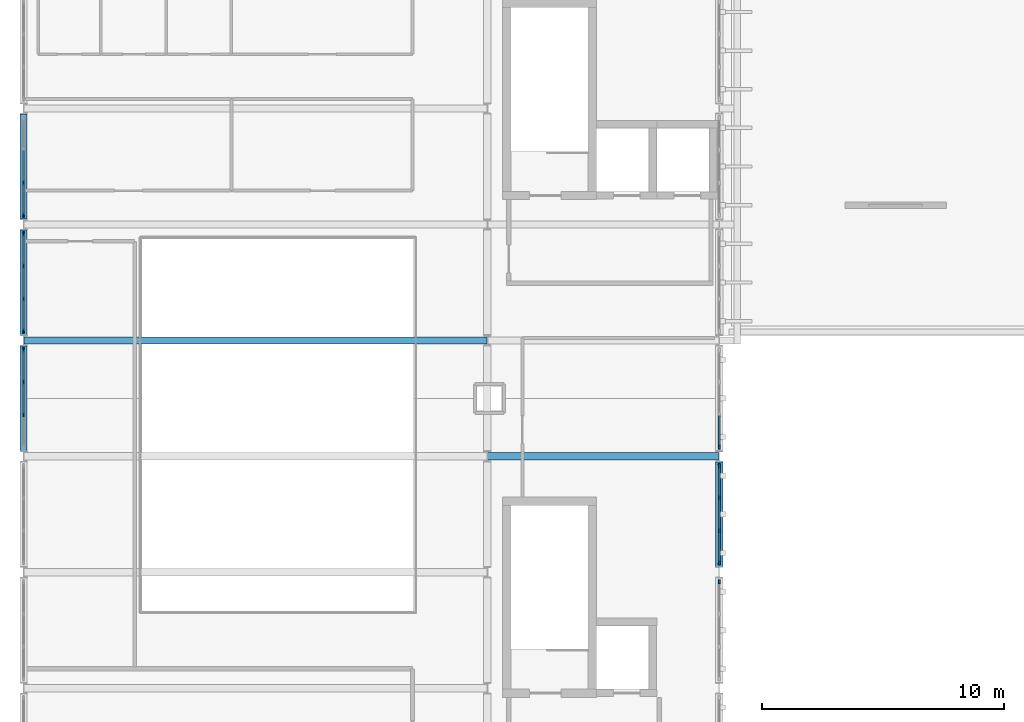
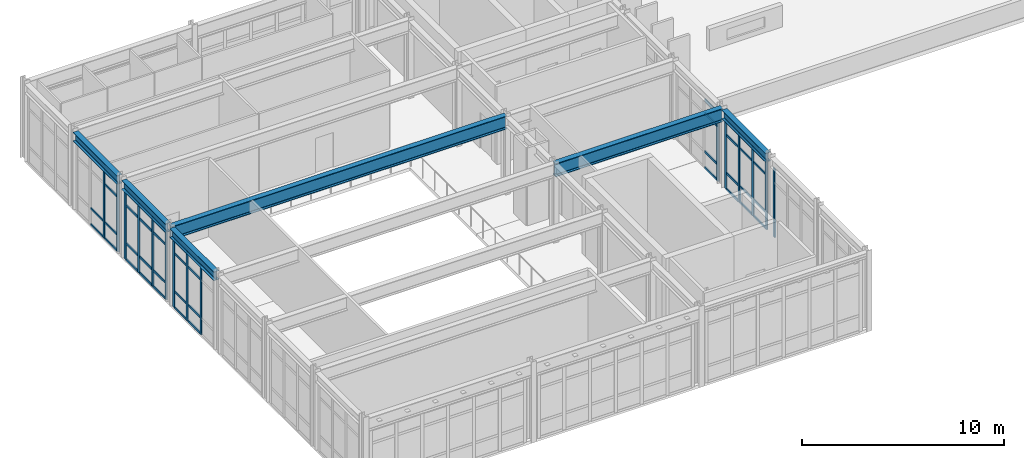
# One storey, part 5 of 16: 57 members, 6 beams, 6 elements without a shape of their own.
"""IFC4 building model written with IfcOpenShell, lengths in metres."""

import ifcopenshell
import ifcopenshell.guid

model = None  # the IFC model being written
_history = None  # IfcOwnerHistory: only IFC2X3 demands one
_inside = {}  # id of a spatial element -> (the spatial element, [elements in it])
_under = {}  # id of a project, library or spatial element -> (it, [spatial elements below it])
_declared = {}  # id of a project -> (the project, [libraries it declares])
_typed = {}  # id of a type object -> (the type object, [elements of that type])
_made_of = {}  # id of a material, layer set ... -> (it, [elements and type objects made of it])


def new_model(schema):
    """Start an empty IFC model of exactly this schema.

    Asked for "IFC4X3", IfcOpenShell would pick the latest addendum, in which some entities
    have other attributes; the version numbers below select the first issue.
    IFC2X3 requires an IfcOwnerHistory on every rooted entity: one is made here for all.
    """
    global model, _history
    if schema == "IFC4X3":
        model = ifcopenshell.file(schema_version=(4, 3, 0, 0))
    else:
        model = ifcopenshell.file(schema=schema)
    _inside.clear()
    _under.clear()
    _declared.clear()
    _typed.clear()
    _made_of.clear()
    _history = None
    if model.schema == "IFC2X3":
        org = make("IfcOrganization", Name="unknown")
        user = make(
            "IfcPersonAndOrganization",
            ThePerson=make("IfcPerson", FamilyName="unknown"),
            TheOrganization=org,
        )
        app = make(
            "IfcApplication",
            ApplicationDeveloper=org,
            Version="unknown",
            ApplicationFullName="unknown",
            ApplicationIdentifier="unknown",
        )
        _history = make(
            "IfcOwnerHistory",
            OwningUser=user,
            OwningApplication=app,
            ChangeAction="ADDED",
            CreationDate=0,
        )
    return model


def make(cls, **values):
    """One entity of the class cls with the attributes given. An attribute that is None is left unset."""
    return model.create_entity(
        cls, **{name: value for name, value in values.items() if value is not None}
    )


def rooted(cls, **values):
    """An entity with a GlobalId (a new one), such as an element, a storey or a relation."""
    return make(cls, GlobalId=ifcopenshell.guid.new(), OwnerHistory=_history, **values)


def si_unit(unit_type, name, prefix=None):
    """IfcSIUnit, for example si_unit("LENGTHUNIT", "METRE", prefix="MILLI")."""
    return make("IfcSIUnit", UnitType=unit_type, Prefix=prefix, Name=name)


def assignment(units):
    """IfcUnitAssignment: the units of a project."""
    return None if units is None else make("IfcUnitAssignment", Units=units)


def point(xyz):
    """IfcCartesianPoint."""
    return None if xyz is None else make("IfcCartesianPoint", Coordinates=xyz)


def direction(xyz):
    """IfcDirection."""
    return None if xyz is None else make("IfcDirection", DirectionRatios=xyz)


def frame(location, z_axis=None, x_axis=None):
    """IfcAxis2Placement3D, a coordinate frame: its origin and axes. An axis left out is left unset."""
    return make(
        "IfcAxis2Placement3D",
        Location=point(location),
        Axis=direction(z_axis),
        RefDirection=direction(x_axis),
    )


def frame_2d(location, x_axis=None):
    """IfcAxis2Placement2D, a coordinate frame in the plane: its origin and x axis."""
    return make(
        "IfcAxis2Placement2D", Location=point(location), RefDirection=direction(x_axis)
    )


def origin():
    """The frame at (0, 0, 0) with its axes left unset."""
    return frame((0.0, 0.0, 0.0))


def origin_2d():
    """The frame at (0, 0) in the plane with its x axis left unset."""
    return frame_2d((0.0, 0.0))


def place(relative_to, where):
    """IfcLocalPlacement: puts the frame where relative to a parent placement (None: the world)."""
    return make(
        "IfcLocalPlacement", PlacementRelTo=relative_to, RelativePlacement=where
    )


def context(
    kind, dimensions, precision=None, world=None, true_north=None, identifier=None
):
    """IfcGeometricRepresentationContext, for example the 3D "Model" context."""
    return make(
        "IfcGeometricRepresentationContext",
        ContextIdentifier=identifier,
        ContextType=kind,
        CoordinateSpaceDimension=dimensions,
        Precision=precision,
        WorldCoordinateSystem=world,
        TrueNorth=true_north,
    )


def subcontext(parent, identifier, kind, view, scale=None):
    """IfcGeometricRepresentationSubContext, for example "Body" below "Model"."""
    return make(
        "IfcGeometricRepresentationSubContext",
        ContextIdentifier=identifier,
        ContextType=kind,
        ParentContext=parent,
        TargetScale=scale,
        TargetView=view,
    )


def project(units=None, contexts=None):
    """IfcProject with its units and contexts."""
    return rooted(
        "IfcProject",
        Name="project",
        RepresentationContexts=contexts,
        UnitsInContext=assignment(units),
    )


def spatial(cls, under=None, at=None, **own):
    """A site, building, storey or space (cls), placed at a placement, below another one or the project."""
    s = rooted(cls, ObjectPlacement=at, **own)
    if under is not None:
        _under.setdefault(under.id(), (under, []))[1].append(s)
    return s


def profile(cls, at=None, kind="AREA", **sizes):
    """A parametric profile (cls). Its sizes go by their IFC names, for example OverallWidth=200.0."""
    return make(cls, ProfileType=kind, Position=at, **sizes)


def rectangle(**sizes):
    """IfcRectangleProfileDef."""
    return profile("IfcRectangleProfileDef", **sizes)


def i_section(**sizes):
    """IfcIShapeProfileDef."""
    return profile("IfcIShapeProfileDef", **sizes)


def extrude(swept, where, along, depth):
    """IfcExtrudedAreaSolid: the profile swept, set in the frame where, extruded along a direction by depth."""
    return make(
        "IfcExtrudedAreaSolid",
        SweptArea=swept,
        Position=where,
        ExtrudedDirection=direction(along),
        Depth=depth,
    )


def shape(context_of_items, identifier, shape_type, items):
    """IfcShapeRepresentation: the items that make up one representation, for example the "Body"."""
    return make(
        "IfcShapeRepresentation",
        ContextOfItems=context_of_items,
        RepresentationIdentifier=identifier,
        RepresentationType=shape_type,
        Items=items,
    )


def material(Name=None, Category=None):
    """IfcMaterial."""
    return make("IfcMaterial", Name=Name, Category=Category)


def layer(
    of_material, thickness, ventilated=None, Name=None, Category=None, Priority=None
):
    """IfcMaterialLayer: one layer of a wall or slab, of a material (None: an air gap)."""
    return make(
        "IfcMaterialLayer",
        Material=of_material,
        LayerThickness=thickness,
        IsVentilated=ventilated,
        Name=Name,
        Category=Category,
        Priority=Priority,
    )


def layer_set(layers, Name=None):
    """IfcMaterialLayerSet."""
    return make("IfcMaterialLayerSet", MaterialLayers=layers, LayerSetName=Name)


def material_profile(
    of_material, cross_section, Name=None, Category=None, Priority=None
):
    """IfcMaterialProfile: a cross section and its material."""
    return make(
        "IfcMaterialProfile",
        Name=Name,
        Material=of_material,
        Profile=cross_section,
        Priority=Priority,
        Category=Category,
    )


def profile_set(profiles, Name=None, composite=None):
    """IfcMaterialProfileSet."""
    return make(
        "IfcMaterialProfileSet",
        Name=Name,
        MaterialProfiles=profiles,
        CompositeProfile=composite,
    )


def made_of(thing, what):
    """Note that an element or type object is made of a material, layer set ...; save() writes the relation."""
    if what is not None:
        _made_of.setdefault(what.id(), (what, []))[1].append(thing)
    return thing


def type_object(cls, material=None, **own):
    """A type object (cls), such as IfcWallType, which elements share."""
    return made_of(rooted(cls, **own), material)


def element(
    cls,
    number,
    at=None,
    inside=None,
    cuts=None,
    type_object=None,
    material=None,
    context=None,
    identifier="Body",
    shape_type=None,
    held_by="IfcProductDefinitionShape",
    body=None,
    shapes=None,
    **own,
):
    """One element of the class cls, such as IfcWall. Its Tag is "e" and its number.

    at: its placement. inside: the storey or other place that contains it. cuts: it is an
    opening in that element (IfcRelVoidsElement). A single representation is given by context,
    identifier, shape_type and body (its items); several are given by shapes. held_by: the class
    of the entity that holds the representations. save() writes the other relations.
    """
    e = rooted(cls, Tag="e%d" % number, ObjectPlacement=at, **own)
    if body is not None:
        shapes = [shape(context, identifier, shape_type, body)]
    if shapes is not None:
        e.Representation = make(held_by, Representations=shapes)
    if inside is not None:
        _inside.setdefault(inside.id(), (inside, []))[1].append(e)
    if cuts is not None:
        rooted(
            "IfcRelVoidsElement", RelatingBuildingElement=cuts, RelatedOpeningElement=e
        )
    if type_object is not None:
        _typed.setdefault(type_object.id(), (type_object, []))[1].append(e)
    return made_of(e, material)


def aggregate(whole, parts):
    """IfcRelAggregates: a whole, such as a stair, and the parts it consists of."""
    return rooted("IfcRelAggregates", RelatingObject=whole, RelatedObjects=parts)


def save(model, path):
    """Write the relations noted so far, then the file.

    IfcRelAggregates (storeys below a building ...), IfcRelContainedInSpatialStructure (elements
    in a storey), IfcRelDefinesByType, IfcRelAssociatesMaterial and IfcRelDeclares: one each for
    every whole, place, type object, material and project.
    """
    for whole, parts in _under.values():
        aggregate(whole, parts)
    for where, things in _inside.values():
        rooted(
            "IfcRelContainedInSpatialStructure",
            RelatedElements=things,
            RelatingStructure=where,
        )
    for kind, things in _typed.values():
        rooted("IfcRelDefinesByType", RelatedObjects=things, RelatingType=kind)
    for what, things in _made_of.values():
        rooted("IfcRelAssociatesMaterial", RelatedObjects=things, RelatingMaterial=what)
    for by, libraries in _declared.values():
        rooted("IfcRelDeclares", RelatingContext=by, RelatedDefinitions=libraries)
    model.write(path)


model = new_model("IFC4")

# Units and contexts
model_context = context("Model", 3, precision=1e-05, world=origin(), true_north=direction((0.0, 1.0)))
body_context = subcontext(model_context, "Body", "Model", "MODEL_VIEW")
ifc_project = project(units=[si_unit("LENGTHUNIT", "METRE"), si_unit("AREAUNIT", "SQUARE_METRE"), si_unit("VOLUMEUNIT", "CUBIC_METRE"), si_unit("PLANEANGLEUNIT", "RADIAN"), si_unit("MASSUNIT", "GRAM", prefix="KILO")], contexts=[model_context])

# Site, building, storey
site_placement = place(None, origin())
site = spatial("IfcSite", under=ifc_project, at=site_placement, CompositionType="ELEMENT")
building_placement = place(site_placement, origin())
building = spatial("IfcBuilding", under=site, at=building_placement, Name="Nordkorset Police Headquarters", CompositionType="ELEMENT")
storey_placement = place(building_placement, frame((0.0, 0.0, 31.14990234375)))
storey = spatial("IfcBuildingStorey", under=building, at=storey_placement, Name="L07", CompositionType="ELEMENT", Elevation=31.14990234375)

# Curtain wall, members
ifc_material_1 = material(Name="Aluminium alloy AW-6060", Category="aluminium")
ifc_layer = layer(ifc_material_1, 0.179931640625, Name="Aluminium alloy AW-6060")
ifc_layer_set = layer_set([ifc_layer], Name="Aluminium alloy AW-6060")
curtain_wall_type = type_object("IfcCurtainWallType", Name="CW_Unit_408x415", PredefinedType="USERDEFINED", material=ifc_layer_set)
curtain_wall_1_placement = place(storey_placement, origin())
curtain_wall_1 = element("IfcCurtainWall", 1, at=curtain_wall_1_placement, inside=storey, type_object=curtain_wall_type, Name="Unitised Curtain Wall L07 V1W-3", ObjectType="UNITISED CURTAIN WALL", PredefinedType="USERDEFINED")
ifc_material_2 = material(Name="Aluminium alloy AW-6060", Category="aluminium")
ifc_material_profile_1 = material_profile(ifc_material_2, rectangle(XDim=0.06494140625, YDim=0.179931640625, at=origin_2d()), Name="ALU MULL 65x180")
ifc_profile_set_1 = profile_set([ifc_material_profile_1], Name="Aluminium alloy AW-6060")
member_type_1 = type_object("IfcMemberType", Name="CW_Mullion_65x180", PredefinedType="MULLION", material=ifc_profile_set_1)
member_1_placement = place(storey_placement, frame((0.0, 99.320068359375, 0.0), z_axis=(0.0, 0.0, 1.0), x_axis=(-1.0, 0.0, 0.0)))
member_1 = element("IfcMember", 2, at=member_1_placement, type_object=member_type_1, Name="CW-101 mullion 2", PredefinedType="MULLION", context=body_context, shape_type="SweptSolid", body=[
    extrude(rectangle(XDim=0.06494140625, YDim=0.179931640625, at=origin_2d()), origin(), (0.0, 0.0, 1.0), 4.150146484375),
])
member_2_placement = place(storey_placement, frame((0.0, 100.679931640625, 0.0), z_axis=(0.0, 0.0, 1.0), x_axis=(-1.0, 0.0, 0.0)))
member_2 = element("IfcMember", 3, at=member_2_placement, type_object=member_type_1, Name="CW-101 mullion 3", PredefinedType="MULLION", context=body_context, shape_type="SweptSolid", body=[
    extrude(rectangle(XDim=0.06494140625, YDim=0.179931640625, at=origin_2d()), origin(), (0.0, 0.0, 1.0), 4.150146484375),
])
member_3_placement = place(storey_placement, frame((0.0, 102.007568359375, 0.0), z_axis=(0.0, 0.0, 1.0), x_axis=(-1.0, 0.0, 0.0)))
member_3 = element("IfcMember", 4, at=member_3_placement, type_object=member_type_1, Name="CW-101 mullion 4", PredefinedType="MULLION", context=body_context, shape_type="SweptSolid", body=[
    extrude(rectangle(XDim=0.06494140625, YDim=0.179931640625, at=origin_2d()), origin(), (0.0, 0.0, 1.0), 4.150146484375),
])

curtain_wall_2_placement = place(storey_placement, origin())
curtain_wall_2 = element("IfcCurtainWall", 5, at=curtain_wall_2_placement, inside=storey, type_object=curtain_wall_type, Name="Unitised Curtain Wall L07 V1W-4", ObjectType="UNITISED CURTAIN WALL", PredefinedType="USERDEFINED")
member_4_placement = place(storey_placement, frame((0.0, 102.79248046875, 0.0), z_axis=(0.0, 0.0, 1.0), x_axis=(-1.0, 0.0, 0.0)))
member_4 = element("IfcMember", 6, at=member_4_placement, type_object=member_type_1, Name="CW-101 mullion 1", PredefinedType="MULLION", context=body_context, shape_type="SweptSolid", body=[
    extrude(rectangle(XDim=0.06494140625, YDim=0.179931640625, at=origin_2d()), origin(), (0.0, 0.0, 1.0), 4.150146484375),
])
member_5_placement = place(storey_placement, frame((0.0, 104.1201171875, 0.0), z_axis=(0.0, 0.0, 1.0), x_axis=(-1.0, 0.0, 0.0)))
member_5 = element("IfcMember", 7, at=member_5_placement, type_object=member_type_1, Name="CW-101 mullion 2", PredefinedType="MULLION", context=body_context, shape_type="SweptSolid", body=[
    extrude(rectangle(XDim=0.06494140625, YDim=0.179931640625, at=origin_2d()), origin(), (0.0, 0.0, 1.0), 4.150146484375),
])
member_6_placement = place(storey_placement, frame((0.0, 105.47998046875, 0.0), z_axis=(0.0, 0.0, 1.0), x_axis=(-1.0, 0.0, 0.0)))
member_6 = element("IfcMember", 8, at=member_6_placement, type_object=member_type_1, Name="CW-101 mullion 3", PredefinedType="MULLION", context=body_context, shape_type="SweptSolid", body=[
    extrude(rectangle(XDim=0.06494140625, YDim=0.179931640625, at=origin_2d()), origin(), (0.0, 0.0, 1.0), 4.150146484375),
])
member_7_placement = place(storey_placement, frame((0.0, 106.8076171875, 0.0), z_axis=(0.0, 0.0, 1.0), x_axis=(-1.0, 0.0, 0.0)))
member_7 = element("IfcMember", 9, at=member_7_placement, type_object=member_type_1, Name="CW-101 mullion 4", PredefinedType="MULLION", context=body_context, shape_type="SweptSolid", body=[
    extrude(rectangle(XDim=0.06494140625, YDim=0.179931640625, at=origin_2d()), origin(), (0.0, 0.0, 1.0), 4.150146484375),
])

curtain_wall_3_placement = place(storey_placement, origin())
curtain_wall_3 = element("IfcCurtainWall", 10, at=curtain_wall_3_placement, inside=storey, type_object=curtain_wall_type, Name="Unitised Curtain Wall L07 V1W-5", ObjectType="UNITISED CURTAIN WALL", PredefinedType="USERDEFINED")
member_8_placement = place(storey_placement, frame((0.0, 107.592529296875, 0.0), z_axis=(0.0, 0.0, 1.0), x_axis=(-1.0, 0.0, 0.0)))
member_8 = element("IfcMember", 11, at=member_8_placement, type_object=member_type_1, Name="CW-101 mullion 1", PredefinedType="MULLION", context=body_context, shape_type="SweptSolid", body=[
    extrude(rectangle(XDim=0.06494140625, YDim=0.179931640625, at=origin_2d()), origin(), (0.0, 0.0, 1.0), 4.150146484375),
])
member_9_placement = place(storey_placement, frame((0.0, 108.919921875, 0.0), z_axis=(0.0, 0.0, 1.0), x_axis=(-1.0, 0.0, 0.0)))
member_9 = element("IfcMember", 12, at=member_9_placement, type_object=member_type_1, Name="CW-101 mullion 2", PredefinedType="MULLION", context=body_context, shape_type="SweptSolid", body=[
    extrude(rectangle(XDim=0.06494140625, YDim=0.179931640625, at=origin_2d()), origin(), (0.0, 0.0, 1.0), 4.150146484375),
])

# Curtain wall, member
curtain_wall_4_placement = place(storey_placement, origin())
curtain_wall_4 = element("IfcCurtainWall", 13, at=curtain_wall_4_placement, inside=storey, type_object=curtain_wall_type, Name="Unitised Curtain Wall L07 V1E-1", ObjectType="UNITISED CURTAIN WALL", PredefinedType="USERDEFINED")
member_10_placement = place(storey_placement, frame((28.800048828125, 92.407470703125, 0.0), z_axis=(0.0, 0.0, 1.0), x_axis=(-1.0, 0.0, 0.0)))
member_10 = element("IfcMember", 14, at=member_10_placement, type_object=member_type_1, Name="CW-101 mullion 4", PredefinedType="MULLION", context=body_context, shape_type="SweptSolid", body=[
    extrude(rectangle(XDim=0.06494140625, YDim=0.179931640625, at=origin_2d()), origin(), (0.0, 0.0, 1.0), 4.150146484375),
])
aggregate(curtain_wall_4, [member_10])

# Curtain wall, members
curtain_wall_5_placement = place(storey_placement, origin())
curtain_wall_5 = element("IfcCurtainWall", 15, at=curtain_wall_5_placement, inside=storey, type_object=curtain_wall_type, Name="Unitised Curtain Wall L07 V1E-2", ObjectType="UNITISED CURTAIN WALL", PredefinedType="USERDEFINED")
member_11_placement = place(storey_placement, frame((28.800048828125, 93.1923828125, 0.0), z_axis=(0.0, 0.0, 1.0), x_axis=(-1.0, 0.0, 0.0)))
member_11 = element("IfcMember", 16, at=member_11_placement, type_object=member_type_1, Name="CW-101 mullion 1", PredefinedType="MULLION", context=body_context, shape_type="SweptSolid", body=[
    extrude(rectangle(XDim=0.06494140625, YDim=0.179931640625, at=origin_2d()), origin(), (0.0, 0.0, 1.0), 4.150146484375),
])
member_12_placement = place(storey_placement, frame((28.800048828125, 94.52001953125, 0.0), z_axis=(0.0, 0.0, 1.0), x_axis=(-1.0, 0.0, 0.0)))
member_12 = element("IfcMember", 17, at=member_12_placement, type_object=member_type_1, Name="CW-101 mullion 2", PredefinedType="MULLION", context=body_context, shape_type="SweptSolid", body=[
    extrude(rectangle(XDim=0.06494140625, YDim=0.179931640625, at=origin_2d()), origin(), (0.0, 0.0, 1.0), 4.150146484375),
])
member_13_placement = place(storey_placement, frame((28.800048828125, 95.8798828125, 0.0), z_axis=(0.0, 0.0, 1.0), x_axis=(-1.0, 0.0, 0.0)))
member_13 = element("IfcMember", 18, at=member_13_placement, type_object=member_type_1, Name="CW-101 mullion 3", PredefinedType="MULLION", context=body_context, shape_type="SweptSolid", body=[
    extrude(rectangle(XDim=0.06494140625, YDim=0.179931640625, at=origin_2d()), origin(), (0.0, 0.0, 1.0), 4.150146484375),
])
member_14_placement = place(storey_placement, frame((28.800048828125, 97.20751953125, 0.0), z_axis=(0.0, 0.0, 1.0), x_axis=(-1.0, 0.0, 0.0)))
member_14 = element("IfcMember", 19, at=member_14_placement, type_object=member_type_1, Name="CW-101 mullion 4", PredefinedType="MULLION", context=body_context, shape_type="SweptSolid", body=[
    extrude(rectangle(XDim=0.06494140625, YDim=0.179931640625, at=origin_2d()), origin(), (0.0, 0.0, 1.0), 4.150146484375),
])

# Curtain wall, member
curtain_wall_6_placement = place(storey_placement, origin())
curtain_wall_6 = element("IfcCurtainWall", 20, at=curtain_wall_6_placement, inside=storey, type_object=curtain_wall_type, Name="Unitised Curtain Wall L07 V1E-3", ObjectType="UNITISED CURTAIN WALL", PredefinedType="USERDEFINED")
member_15_placement = place(storey_placement, frame((28.800048828125, 97.992431640625, 0.0), z_axis=(0.0, 0.0, 1.0), x_axis=(-1.0, 0.0, 0.0)))
member_15 = element("IfcMember", 21, at=member_15_placement, type_object=member_type_1, Name="CW-101 mullion 1", PredefinedType="MULLION", context=body_context, shape_type="SweptSolid", body=[
    extrude(rectangle(XDim=0.06494140625, YDim=0.179931640625, at=origin_2d()), origin(), (0.0, 0.0, 1.0), 4.150146484375),
])

# Member
ifc_material_3 = material(Name="Aluminium alloy AW-6060", Category="aluminium")
ifc_material_profile_2 = material_profile(ifc_material_3, rectangle(XDim=0.06494140625, YDim=0.139892578125, at=origin_2d()), Name="ALU TRAN 65x140")
ifc_profile_set_2 = profile_set([ifc_material_profile_2], Name="Aluminium alloy AW-6060")
member_type_2 = type_object("IfcMemberType", Name="CW_Transom_65x140", PredefinedType="USERDEFINED", material=ifc_profile_set_2)
member_16_placement = place(storey_placement, frame((0.0, 99.3525390625, 0.03271484375), z_axis=(0.0, 1.0, 0.0), x_axis=(-1.0, 0.0, 0.0)))
member_16 = element("IfcMember", 22, at=member_16_placement, type_object=member_type_2, Name="CW-101 transom 2.1", ObjectType="TRANSOM", PredefinedType="USERDEFINED", context=body_context, shape_type="SweptSolid", body=[
    extrude(rectangle(XDim=0.06494140625, YDim=0.139892578125, at=origin_2d()), origin(), (0.0, 0.0, 1.0), 1.294921875),
])

member_17_placement = place(storey_placement, frame((0.0, 99.3525390625, 1.0), z_axis=(0.0, 1.0, 0.0), x_axis=(-1.0, 0.0, 0.0)))
member_17 = element("IfcMember", 23, at=member_17_placement, type_object=member_type_2, Name="CW-101 transom 2.2", ObjectType="TRANSOM", PredefinedType="USERDEFINED", context=body_context, shape_type="SweptSolid", body=[
    extrude(rectangle(XDim=0.06494140625, YDim=0.139892578125, at=origin_2d()), origin(), (0.0, 0.0, 1.0), 1.294921875),
])

member_18_placement = place(storey_placement, frame((0.0, 99.3525390625, 3.300048828125), z_axis=(0.0, 1.0, 0.0), x_axis=(-1.0, 0.0, 0.0)))
member_18 = element("IfcMember", 24, at=member_18_placement, type_object=member_type_2, Name="CW-101 transom 2.3", ObjectType="TRANSOM", PredefinedType="USERDEFINED", context=body_context, shape_type="SweptSolid", body=[
    extrude(rectangle(XDim=0.06494140625, YDim=0.139892578125, at=origin_2d()), origin(), (0.0, 0.0, 1.0), 1.294921875),
])

member_19_placement = place(storey_placement, frame((0.0, 99.3525390625, 4.11767578125), z_axis=(0.0, 1.0, 0.0), x_axis=(-1.0, 0.0, 0.0)))
member_19 = element("IfcMember", 25, at=member_19_placement, type_object=member_type_2, Name="CW-101 transom 2.4", ObjectType="TRANSOM", PredefinedType="USERDEFINED", context=body_context, shape_type="SweptSolid", body=[
    extrude(rectangle(XDim=0.06494140625, YDim=0.139892578125, at=origin_2d()), origin(), (0.0, 0.0, 1.0), 1.294921875),
])

member_20_placement = place(storey_placement, frame((0.0, 100.71240234375, 0.03271484375), z_axis=(0.0, 1.0, 0.0), x_axis=(-1.0, 0.0, 0.0)))
member_20 = element("IfcMember", 26, at=member_20_placement, type_object=member_type_2, Name="CW-101 transom 3.1", ObjectType="TRANSOM", PredefinedType="USERDEFINED", context=body_context, shape_type="SweptSolid", body=[
    extrude(rectangle(XDim=0.06494140625, YDim=0.139892578125, at=origin_2d()), origin(), (0.0, 0.0, 1.0), 1.2626953125),
])

member_21_placement = place(storey_placement, frame((0.0, 100.71240234375, 1.0), z_axis=(0.0, 1.0, 0.0), x_axis=(-1.0, 0.0, 0.0)))
member_21 = element("IfcMember", 27, at=member_21_placement, type_object=member_type_2, Name="CW-101 transom 3.2", ObjectType="TRANSOM", PredefinedType="USERDEFINED", context=body_context, shape_type="SweptSolid", body=[
    extrude(rectangle(XDim=0.06494140625, YDim=0.139892578125, at=origin_2d()), origin(), (0.0, 0.0, 1.0), 1.2626953125),
])

member_22_placement = place(storey_placement, frame((0.0, 100.71240234375, 3.300048828125), z_axis=(0.0, 1.0, 0.0), x_axis=(-1.0, 0.0, 0.0)))
member_22 = element("IfcMember", 28, at=member_22_placement, type_object=member_type_2, Name="CW-101 transom 3.3", ObjectType="TRANSOM", PredefinedType="USERDEFINED", context=body_context, shape_type="SweptSolid", body=[
    extrude(rectangle(XDim=0.06494140625, YDim=0.139892578125, at=origin_2d()), origin(), (0.0, 0.0, 1.0), 1.2626953125),
])

member_23_placement = place(storey_placement, frame((0.0, 100.71240234375, 4.11767578125), z_axis=(0.0, 1.0, 0.0), x_axis=(-1.0, 0.0, 0.0)))
member_23 = element("IfcMember", 29, at=member_23_placement, type_object=member_type_2, Name="CW-101 transom 3.4", ObjectType="TRANSOM", PredefinedType="USERDEFINED", context=body_context, shape_type="SweptSolid", body=[
    extrude(rectangle(XDim=0.06494140625, YDim=0.139892578125, at=origin_2d()), origin(), (0.0, 0.0, 1.0), 1.2626953125),
])

aggregate(curtain_wall_1, [member_1, member_2, member_3, member_16, member_17, member_18, member_19, member_20, member_21, member_22, member_23])

member_24_placement = place(storey_placement, frame((0.0, 102.824951171875, 0.03271484375), z_axis=(0.0, 1.0, 0.0), x_axis=(-1.0, 0.0, 0.0)))
member_24 = element("IfcMember", 30, at=member_24_placement, type_object=member_type_2, Name="CW-101 transom 1.1", ObjectType="TRANSOM", PredefinedType="USERDEFINED", context=body_context, shape_type="SweptSolid", body=[
    extrude(rectangle(XDim=0.06494140625, YDim=0.139892578125, at=origin_2d()), origin(), (0.0, 0.0, 1.0), 1.262451171875),
])

member_25_placement = place(storey_placement, frame((0.0, 102.824951171875, 1.0), z_axis=(0.0, 1.0, 0.0), x_axis=(-1.0, 0.0, 0.0)))
member_25 = element("IfcMember", 31, at=member_25_placement, type_object=member_type_2, Name="CW-101 transom 1.2", ObjectType="TRANSOM", PredefinedType="USERDEFINED", context=body_context, shape_type="SweptSolid", body=[
    extrude(rectangle(XDim=0.06494140625, YDim=0.139892578125, at=origin_2d()), origin(), (0.0, 0.0, 1.0), 1.262451171875),
])

member_26_placement = place(storey_placement, frame((0.0, 102.824951171875, 3.300048828125), z_axis=(0.0, 1.0, 0.0), x_axis=(-1.0, 0.0, 0.0)))
member_26 = element("IfcMember", 32, at=member_26_placement, type_object=member_type_2, Name="CW-101 transom 1.3", ObjectType="TRANSOM", PredefinedType="USERDEFINED", context=body_context, shape_type="SweptSolid", body=[
    extrude(rectangle(XDim=0.06494140625, YDim=0.139892578125, at=origin_2d()), origin(), (0.0, 0.0, 1.0), 1.262451171875),
])

member_27_placement = place(storey_placement, frame((0.0, 102.824951171875, 4.11767578125), z_axis=(0.0, 1.0, 0.0), x_axis=(-1.0, 0.0, 0.0)))
member_27 = element("IfcMember", 33, at=member_27_placement, type_object=member_type_2, Name="CW-101 transom 1.4", ObjectType="TRANSOM", PredefinedType="USERDEFINED", context=body_context, shape_type="SweptSolid", body=[
    extrude(rectangle(XDim=0.06494140625, YDim=0.139892578125, at=origin_2d()), origin(), (0.0, 0.0, 1.0), 1.262451171875),
])

member_28_placement = place(storey_placement, frame((0.0, 104.152587890625, 0.03271484375), z_axis=(0.0, 1.0, 0.0), x_axis=(-1.0, 0.0, 0.0)))
member_28 = element("IfcMember", 34, at=member_28_placement, type_object=member_type_2, Name="CW-101 transom 2.1", ObjectType="TRANSOM", PredefinedType="USERDEFINED", context=body_context, shape_type="SweptSolid", body=[
    extrude(rectangle(XDim=0.06494140625, YDim=0.139892578125, at=origin_2d()), origin(), (0.0, 0.0, 1.0), 1.294921875),
])

member_29_placement = place(storey_placement, frame((0.0, 104.152587890625, 1.0), z_axis=(0.0, 1.0, 0.0), x_axis=(-1.0, 0.0, 0.0)))
member_29 = element("IfcMember", 35, at=member_29_placement, type_object=member_type_2, Name="CW-101 transom 2.2", ObjectType="TRANSOM", PredefinedType="USERDEFINED", context=body_context, shape_type="SweptSolid", body=[
    extrude(rectangle(XDim=0.06494140625, YDim=0.139892578125, at=origin_2d()), origin(), (0.0, 0.0, 1.0), 1.294921875),
])

member_30_placement = place(storey_placement, frame((0.0, 104.152587890625, 3.300048828125), z_axis=(0.0, 1.0, 0.0), x_axis=(-1.0, 0.0, 0.0)))
member_30 = element("IfcMember", 36, at=member_30_placement, type_object=member_type_2, Name="CW-101 transom 2.3", ObjectType="TRANSOM", PredefinedType="USERDEFINED", context=body_context, shape_type="SweptSolid", body=[
    extrude(rectangle(XDim=0.06494140625, YDim=0.139892578125, at=origin_2d()), origin(), (0.0, 0.0, 1.0), 1.294921875),
])

member_31_placement = place(storey_placement, frame((0.0, 104.152587890625, 4.11767578125), z_axis=(0.0, 1.0, 0.0), x_axis=(-1.0, 0.0, 0.0)))
member_31 = element("IfcMember", 37, at=member_31_placement, type_object=member_type_2, Name="CW-101 transom 2.4", ObjectType="TRANSOM", PredefinedType="USERDEFINED", context=body_context, shape_type="SweptSolid", body=[
    extrude(rectangle(XDim=0.06494140625, YDim=0.139892578125, at=origin_2d()), origin(), (0.0, 0.0, 1.0), 1.294921875),
])

member_32_placement = place(storey_placement, frame((0.0, 105.512451171875, 0.03271484375), z_axis=(0.0, 1.0, 0.0), x_axis=(-1.0, 0.0, 0.0)))
member_32 = element("IfcMember", 38, at=member_32_placement, type_object=member_type_2, Name="CW-101 transom 3.1", ObjectType="TRANSOM", PredefinedType="USERDEFINED", context=body_context, shape_type="SweptSolid", body=[
    extrude(rectangle(XDim=0.06494140625, YDim=0.139892578125, at=origin_2d()), origin(), (0.0, 0.0, 1.0), 1.262451171875),
])

member_33_placement = place(storey_placement, frame((0.0, 105.512451171875, 1.0), z_axis=(0.0, 1.0, 0.0), x_axis=(-1.0, 0.0, 0.0)))
member_33 = element("IfcMember", 39, at=member_33_placement, type_object=member_type_2, Name="CW-101 transom 3.2", ObjectType="TRANSOM", PredefinedType="USERDEFINED", context=body_context, shape_type="SweptSolid", body=[
    extrude(rectangle(XDim=0.06494140625, YDim=0.139892578125, at=origin_2d()), origin(), (0.0, 0.0, 1.0), 1.262451171875),
])

member_34_placement = place(storey_placement, frame((0.0, 105.512451171875, 3.300048828125), z_axis=(0.0, 1.0, 0.0), x_axis=(-1.0, 0.0, 0.0)))
member_34 = element("IfcMember", 40, at=member_34_placement, type_object=member_type_2, Name="CW-101 transom 3.3", ObjectType="TRANSOM", PredefinedType="USERDEFINED", context=body_context, shape_type="SweptSolid", body=[
    extrude(rectangle(XDim=0.06494140625, YDim=0.139892578125, at=origin_2d()), origin(), (0.0, 0.0, 1.0), 1.262451171875),
])

member_35_placement = place(storey_placement, frame((0.0, 105.512451171875, 4.11767578125), z_axis=(0.0, 1.0, 0.0), x_axis=(-1.0, 0.0, 0.0)))
member_35 = element("IfcMember", 41, at=member_35_placement, type_object=member_type_2, Name="CW-101 transom 3.4", ObjectType="TRANSOM", PredefinedType="USERDEFINED", context=body_context, shape_type="SweptSolid", body=[
    extrude(rectangle(XDim=0.06494140625, YDim=0.139892578125, at=origin_2d()), origin(), (0.0, 0.0, 1.0), 1.262451171875),
])

aggregate(curtain_wall_2, [member_4, member_5, member_6, member_7, member_24, member_25, member_26, member_27, member_28, member_29, member_30, member_31, member_32, member_33, member_34, member_35])

member_36_placement = place(storey_placement, frame((0.0, 107.625, 0.03271484375), z_axis=(0.0, 1.0, 0.0), x_axis=(-1.0, 0.0, 0.0)))
member_36 = element("IfcMember", 42, at=member_36_placement, type_object=member_type_2, Name="CW-101 transom 1.1", ObjectType="TRANSOM", PredefinedType="USERDEFINED", context=body_context, shape_type="SweptSolid", body=[
    extrude(rectangle(XDim=0.06494140625, YDim=0.139892578125, at=origin_2d()), origin(), (0.0, 0.0, 1.0), 1.262451171875),
])

member_37_placement = place(storey_placement, frame((0.0, 107.625, 1.0), z_axis=(0.0, 1.0, 0.0), x_axis=(-1.0, 0.0, 0.0)))
member_37 = element("IfcMember", 43, at=member_37_placement, type_object=member_type_2, Name="CW-101 transom 1.2", ObjectType="TRANSOM", PredefinedType="USERDEFINED", context=body_context, shape_type="SweptSolid", body=[
    extrude(rectangle(XDim=0.06494140625, YDim=0.139892578125, at=origin_2d()), origin(), (0.0, 0.0, 1.0), 1.262451171875),
])

member_38_placement = place(storey_placement, frame((0.0, 107.625, 3.300048828125), z_axis=(0.0, 1.0, 0.0), x_axis=(-1.0, 0.0, 0.0)))
member_38 = element("IfcMember", 44, at=member_38_placement, type_object=member_type_2, Name="CW-101 transom 1.3", ObjectType="TRANSOM", PredefinedType="USERDEFINED", context=body_context, shape_type="SweptSolid", body=[
    extrude(rectangle(XDim=0.06494140625, YDim=0.139892578125, at=origin_2d()), origin(), (0.0, 0.0, 1.0), 1.262451171875),
])

member_39_placement = place(storey_placement, frame((0.0, 107.625, 4.11767578125), z_axis=(0.0, 1.0, 0.0), x_axis=(-1.0, 0.0, 0.0)))
member_39 = element("IfcMember", 45, at=member_39_placement, type_object=member_type_2, Name="CW-101 transom 1.4", ObjectType="TRANSOM", PredefinedType="USERDEFINED", context=body_context, shape_type="SweptSolid", body=[
    extrude(rectangle(XDim=0.06494140625, YDim=0.139892578125, at=origin_2d()), origin(), (0.0, 0.0, 1.0), 1.262451171875),
])

member_40_placement = place(storey_placement, frame((0.0, 108.952392578125, 0.03271484375), z_axis=(0.0, 1.0, 0.0), x_axis=(-1.0, 0.0, 0.0)))
member_40 = element("IfcMember", 46, at=member_40_placement, type_object=member_type_2, Name="CW-101 transom 2.1", ObjectType="TRANSOM", PredefinedType="USERDEFINED", context=body_context, shape_type="SweptSolid", body=[
    extrude(rectangle(XDim=0.06494140625, YDim=0.139892578125, at=origin_2d()), origin(), (0.0, 0.0, 1.0), 1.295166015625),
])

member_41_placement = place(storey_placement, frame((0.0, 108.952392578125, 1.0), z_axis=(0.0, 1.0, 0.0), x_axis=(-1.0, 0.0, 0.0)))
member_41 = element("IfcMember", 47, at=member_41_placement, type_object=member_type_2, Name="CW-101 transom 2.2", ObjectType="TRANSOM", PredefinedType="USERDEFINED", context=body_context, shape_type="SweptSolid", body=[
    extrude(rectangle(XDim=0.06494140625, YDim=0.139892578125, at=origin_2d()), origin(), (0.0, 0.0, 1.0), 1.295166015625),
])

aggregate(curtain_wall_3, [member_8, member_9, member_36, member_37, member_38, member_39, member_40, member_41])

member_42_placement = place(storey_placement, frame((28.800048828125, 93.22509765625, 0.03271484375), z_axis=(0.0, 1.0, 0.0), x_axis=(-1.0, 0.0, 0.0)))
member_42 = element("IfcMember", 48, at=member_42_placement, type_object=member_type_2, Name="CW-101 transom 1.1", ObjectType="TRANSOM", PredefinedType="USERDEFINED", context=body_context, shape_type="SweptSolid", body=[
    extrude(rectangle(XDim=0.06494140625, YDim=0.139892578125, at=origin_2d()), origin(), (0.0, 0.0, 1.0), 1.262451171875),
])

member_43_placement = place(storey_placement, frame((28.800048828125, 93.22509765625, 1.0), z_axis=(0.0, 1.0, 0.0), x_axis=(-1.0, 0.0, 0.0)))
member_43 = element("IfcMember", 49, at=member_43_placement, type_object=member_type_2, Name="CW-101 transom 1.2", ObjectType="TRANSOM", PredefinedType="USERDEFINED", context=body_context, shape_type="SweptSolid", body=[
    extrude(rectangle(XDim=0.06494140625, YDim=0.139892578125, at=origin_2d()), origin(), (0.0, 0.0, 1.0), 1.262451171875),
])

member_44_placement = place(storey_placement, frame((28.800048828125, 93.22509765625, 3.300048828125), z_axis=(0.0, 1.0, 0.0), x_axis=(-1.0, 0.0, 0.0)))
member_44 = element("IfcMember", 50, at=member_44_placement, type_object=member_type_2, Name="CW-101 transom 1.3", ObjectType="TRANSOM", PredefinedType="USERDEFINED", context=body_context, shape_type="SweptSolid", body=[
    extrude(rectangle(XDim=0.06494140625, YDim=0.139892578125, at=origin_2d()), origin(), (0.0, 0.0, 1.0), 1.262451171875),
])

member_45_placement = place(storey_placement, frame((28.800048828125, 93.22509765625, 4.11767578125), z_axis=(0.0, 1.0, 0.0), x_axis=(-1.0, 0.0, 0.0)))
member_45 = element("IfcMember", 51, at=member_45_placement, type_object=member_type_2, Name="CW-101 transom 1.4", ObjectType="TRANSOM", PredefinedType="USERDEFINED", context=body_context, shape_type="SweptSolid", body=[
    extrude(rectangle(XDim=0.06494140625, YDim=0.139892578125, at=origin_2d()), origin(), (0.0, 0.0, 1.0), 1.262451171875),
])

member_46_placement = place(storey_placement, frame((28.800048828125, 94.552490234375, 0.03271484375), z_axis=(0.0, 1.0, 0.0), x_axis=(-1.0, 0.0, 0.0)))
member_46 = element("IfcMember", 52, at=member_46_placement, type_object=member_type_2, Name="CW-101 transom 2.1", ObjectType="TRANSOM", PredefinedType="USERDEFINED", context=body_context, shape_type="SweptSolid", body=[
    extrude(rectangle(XDim=0.06494140625, YDim=0.139892578125, at=origin_2d()), origin(), (0.0, 0.0, 1.0), 1.294921875),
])

member_47_placement = place(storey_placement, frame((28.800048828125, 94.552490234375, 1.0), z_axis=(0.0, 1.0, 0.0), x_axis=(-1.0, 0.0, 0.0)))
member_47 = element("IfcMember", 53, at=member_47_placement, type_object=member_type_2, Name="CW-101 transom 2.2", ObjectType="TRANSOM", PredefinedType="USERDEFINED", context=body_context, shape_type="SweptSolid", body=[
    extrude(rectangle(XDim=0.06494140625, YDim=0.139892578125, at=origin_2d()), origin(), (0.0, 0.0, 1.0), 1.294921875),
])

member_48_placement = place(storey_placement, frame((28.800048828125, 94.552490234375, 3.300048828125), z_axis=(0.0, 1.0, 0.0), x_axis=(-1.0, 0.0, 0.0)))
member_48 = element("IfcMember", 54, at=member_48_placement, type_object=member_type_2, Name="CW-101 transom 2.3", ObjectType="TRANSOM", PredefinedType="USERDEFINED", context=body_context, shape_type="SweptSolid", body=[
    extrude(rectangle(XDim=0.06494140625, YDim=0.139892578125, at=origin_2d()), origin(), (0.0, 0.0, 1.0), 1.294921875),
])

member_49_placement = place(storey_placement, frame((28.800048828125, 94.552490234375, 4.11767578125), z_axis=(0.0, 1.0, 0.0), x_axis=(-1.0, 0.0, 0.0)))
member_49 = element("IfcMember", 55, at=member_49_placement, type_object=member_type_2, Name="CW-101 transom 2.4", ObjectType="TRANSOM", PredefinedType="USERDEFINED", context=body_context, shape_type="SweptSolid", body=[
    extrude(rectangle(XDim=0.06494140625, YDim=0.139892578125, at=origin_2d()), origin(), (0.0, 0.0, 1.0), 1.294921875),
])

member_50_placement = place(storey_placement, frame((28.800048828125, 95.91259765625, 0.03271484375), z_axis=(0.0, 1.0, 0.0), x_axis=(-1.0, 0.0, 0.0)))
member_50 = element("IfcMember", 56, at=member_50_placement, type_object=member_type_2, Name="CW-101 transom 3.1", ObjectType="TRANSOM", PredefinedType="USERDEFINED", context=body_context, shape_type="SweptSolid", body=[
    extrude(rectangle(XDim=0.06494140625, YDim=0.139892578125, at=origin_2d()), origin(), (0.0, 0.0, 1.0), 1.262451171875),
])

member_51_placement = place(storey_placement, frame((28.800048828125, 95.91259765625, 1.0), z_axis=(0.0, 1.0, 0.0), x_axis=(-1.0, 0.0, 0.0)))
member_51 = element("IfcMember", 57, at=member_51_placement, type_object=member_type_2, Name="CW-101 transom 3.2", ObjectType="TRANSOM", PredefinedType="USERDEFINED", context=body_context, shape_type="SweptSolid", body=[
    extrude(rectangle(XDim=0.06494140625, YDim=0.139892578125, at=origin_2d()), origin(), (0.0, 0.0, 1.0), 1.262451171875),
])

member_52_placement = place(storey_placement, frame((28.800048828125, 95.91259765625, 3.300048828125), z_axis=(0.0, 1.0, 0.0), x_axis=(-1.0, 0.0, 0.0)))
member_52 = element("IfcMember", 58, at=member_52_placement, type_object=member_type_2, Name="CW-101 transom 3.3", ObjectType="TRANSOM", PredefinedType="USERDEFINED", context=body_context, shape_type="SweptSolid", body=[
    extrude(rectangle(XDim=0.06494140625, YDim=0.139892578125, at=origin_2d()), origin(), (0.0, 0.0, 1.0), 1.262451171875),
])

member_53_placement = place(storey_placement, frame((28.800048828125, 95.91259765625, 4.11767578125), z_axis=(0.0, 1.0, 0.0), x_axis=(-1.0, 0.0, 0.0)))
member_53 = element("IfcMember", 59, at=member_53_placement, type_object=member_type_2, Name="CW-101 transom 3.4", ObjectType="TRANSOM", PredefinedType="USERDEFINED", context=body_context, shape_type="SweptSolid", body=[
    extrude(rectangle(XDim=0.06494140625, YDim=0.139892578125, at=origin_2d()), origin(), (0.0, 0.0, 1.0), 1.262451171875),
])

aggregate(curtain_wall_5, [member_11, member_12, member_13, member_14, member_42, member_43, member_44, member_45, member_46, member_47, member_48, member_49, member_50, member_51, member_52, member_53])

member_54_placement = place(storey_placement, frame((28.800048828125, 98.02490234375, 0.03271484375), z_axis=(0.0, 1.0, 0.0), x_axis=(-1.0, 0.0, 0.0)))
member_54 = element("IfcMember", 60, at=member_54_placement, type_object=member_type_2, Name="CW-101 transom 1.1", ObjectType="TRANSOM", PredefinedType="USERDEFINED", context=body_context, shape_type="SweptSolid", body=[
    extrude(rectangle(XDim=0.06494140625, YDim=0.139892578125, at=origin_2d()), origin(), (0.0, 0.0, 1.0), 1.2626953125),
])

member_55_placement = place(storey_placement, frame((28.800048828125, 98.02490234375, 1.0), z_axis=(0.0, 1.0, 0.0), x_axis=(-1.0, 0.0, 0.0)))
member_55 = element("IfcMember", 61, at=member_55_placement, type_object=member_type_2, Name="CW-101 transom 1.2", ObjectType="TRANSOM", PredefinedType="USERDEFINED", context=body_context, shape_type="SweptSolid", body=[
    extrude(rectangle(XDim=0.06494140625, YDim=0.139892578125, at=origin_2d()), origin(), (0.0, 0.0, 1.0), 1.2626953125),
])

member_56_placement = place(storey_placement, frame((28.800048828125, 98.02490234375, 3.300048828125), z_axis=(0.0, 1.0, 0.0), x_axis=(-1.0, 0.0, 0.0)))
member_56 = element("IfcMember", 62, at=member_56_placement, type_object=member_type_2, Name="CW-101 transom 1.3", ObjectType="TRANSOM", PredefinedType="USERDEFINED", context=body_context, shape_type="SweptSolid", body=[
    extrude(rectangle(XDim=0.06494140625, YDim=0.139892578125, at=origin_2d()), origin(), (0.0, 0.0, 1.0), 1.2626953125),
])

member_57_placement = place(storey_placement, frame((28.800048828125, 98.02490234375, 4.11767578125), z_axis=(0.0, 1.0, 0.0), x_axis=(-1.0, 0.0, 0.0)))
member_57 = element("IfcMember", 63, at=member_57_placement, type_object=member_type_2, Name="CW-101 transom 1.4", ObjectType="TRANSOM", PredefinedType="USERDEFINED", context=body_context, shape_type="SweptSolid", body=[
    extrude(rectangle(XDim=0.06494140625, YDim=0.139892578125, at=origin_2d()), origin(), (0.0, 0.0, 1.0), 1.2626953125),
])

aggregate(curtain_wall_6, [member_15, member_54, member_55, member_56, member_57])

# Beams
ifc_material_4 = material(Name="Steel S355J2", Category="steel")
ifc_material_profile_3 = material_profile(ifc_material_4, i_section(OverallWidth=0.300048828125, OverallDepth=0.5400390625, WebThickness=0.012451171875, FlangeThickness=0.02392578125, FilletRadius=0.027099609375, at=origin_2d()), Name="HEA 550")
ifc_profile_set_3 = profile_set([ifc_material_profile_3], Name="Steel S355J2")
beam_type_1 = type_object("IfcBeamType", Name="Girder_HEA_550", PredefinedType="USERDEFINED", material=ifc_profile_set_3)
for number, where, z_axis, x_axis, name in (
    (64, (0.0, 97.824951171875, 4.440185546875), (0.0, 1.0, 0.0), (-1.0, 0.0, 0.0), "Girder V1 L07 GY-0-3"),
    (65, (0.0, 102.625, 4.440185546875), (0.0, 1.0, 0.0), (-1.0, 0.0, 0.0), "Girder V1 L07 GY-0-4"),
):
    element("IfcBeam", number, at=place(storey_placement, frame(where, z_axis=z_axis, x_axis=x_axis)), inside=storey, type_object=beam_type_1, Name=name, ObjectType="GIRDER", PredefinedType="USERDEFINED", context=body_context, shape_type="SweptSolid", body=[
        extrude(i_section(OverallWidth=0.300048828125, OverallDepth=0.5400390625, WebThickness=0.012451171875, FlangeThickness=0.02392578125, FilletRadius=0.027099609375, at=origin_2d()), origin(), (0.0, 0.0, 1.0), 4.35009765625),
    ])
beam_1_placement = place(storey_placement, frame((0.0, 107.425048828125, 4.440185546875), z_axis=(0.0, 1.0, 0.0), x_axis=(-1.0, 0.0, 0.0)))
element("IfcBeam", 66, at=beam_1_placement, inside=storey, type_object=beam_type_1, Name="Girder V1 L07 GY-0-5", ObjectType="GIRDER", PredefinedType="USERDEFINED", context=body_context, shape_type="SweptSolid", body=[
    extrude(i_section(OverallWidth=0.300048828125, OverallDepth=0.5400390625, WebThickness=0.012451171875, FlangeThickness=0.02392578125, FilletRadius=0.027099609375, at=origin_2d()), origin(), (0.0, 0.0, 1.0), 4.349853515625),
])
beam_2_placement = place(storey_placement, frame((28.800048828125, 93.02490234375, 4.440185546875), z_axis=(0.0, 1.0, 0.0), x_axis=(-1.0, 0.0, 0.0)))
element("IfcBeam", 67, at=beam_2_placement, inside=storey, type_object=beam_type_1, Name="Girder V1 L07 GY-2-2", ObjectType="GIRDER", PredefinedType="USERDEFINED", context=body_context, shape_type="SweptSolid", body=[
    extrude(i_section(OverallWidth=0.300048828125, OverallDepth=0.5400390625, WebThickness=0.012451171875, FlangeThickness=0.02392578125, FilletRadius=0.027099609375, at=origin_2d()), origin(), (0.0, 0.0, 1.0), 4.35009765625),
])
ifc_material_5 = material(Name="Steel S355J2", Category="steel")
ifc_material_profile_4 = material_profile(ifc_material_5, i_section(OverallWidth=0.300048828125, OverallDepth=0.800048828125, WebThickness=0.017578125, FlangeThickness=0.032958984375, FilletRadius=0.030029296875, at=origin_2d()), Name="HEB 800")
ifc_profile_set_4 = profile_set([ifc_material_profile_4], Name="Steel S355J2")
beam_type_2 = type_object("IfcBeamType", Name="Girder_HEB_800", PredefinedType="USERDEFINED", material=ifc_profile_set_4)
beam_3_placement = place(storey_placement, frame((19.20703125, 97.60009765625, 4.31005859375), z_axis=(1.0, 0.0, 0.0), x_axis=(0.0, 1.0, 0.0)))
element("IfcBeam", 68, at=beam_3_placement, inside=storey, type_object=beam_type_2, Name="Girder V1 L07 GX-3-1", ObjectType="GIRDER", PredefinedType="USERDEFINED", context=body_context, shape_type="SweptSolid", body=[
    extrude(i_section(OverallWidth=0.300048828125, OverallDepth=0.800048828125, WebThickness=0.017578125, FlangeThickness=0.032958984375, FilletRadius=0.030029296875, at=origin_2d()), origin(), (0.0, 0.0, 1.0), 9.5859375),
])
beam_4_placement = place(storey_placement, frame((0.007080078125, 102.39990234375, 4.31005859375), z_axis=(1.0, 0.0, 0.0), x_axis=(0.0, 1.0, 0.0)))
element("IfcBeam", 69, at=beam_4_placement, inside=storey, type_object=beam_type_2, Name="Girder V1 L07 GX-4-0", ObjectType="GIRDER", PredefinedType="USERDEFINED", context=body_context, shape_type="SweptSolid", body=[
    extrude(i_section(OverallWidth=0.300048828125, OverallDepth=0.800048828125, WebThickness=0.017578125, FlangeThickness=0.032958984375, FilletRadius=0.030029296875, at=origin_2d()), origin(), (0.0, 0.0, 1.0), 19.18603515625),
])

save(model, "model.ifc")
